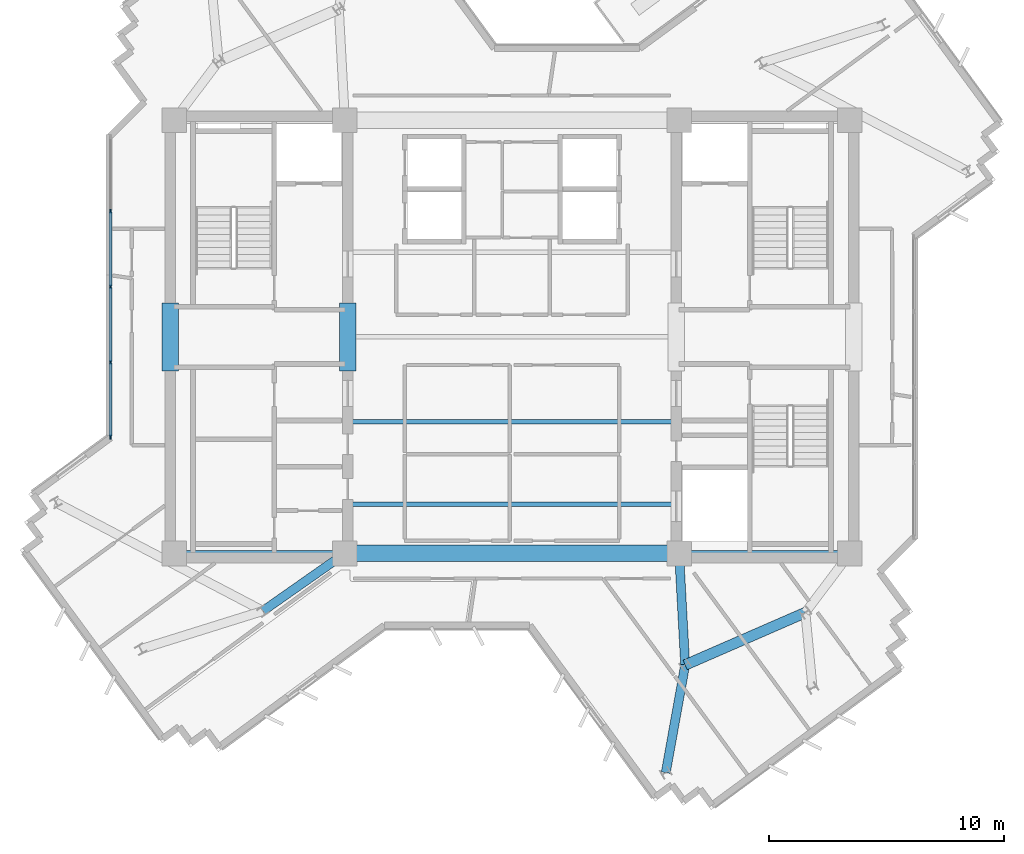
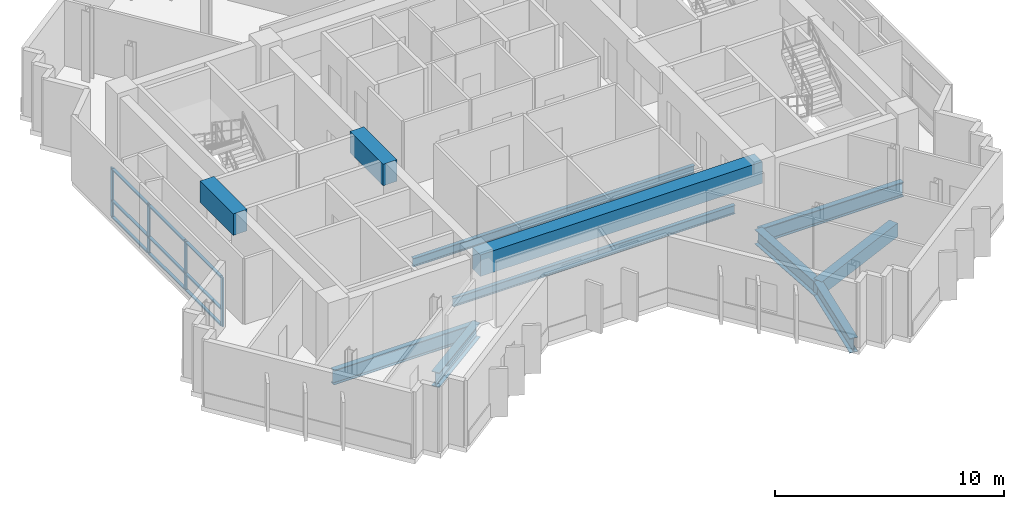
# One storey, part 2 of 13: 13 members, 11 beams, 1 element without a shape of its own.
"""IFC4 building model written with IfcOpenShell, lengths in metres."""

from ifc_helpers import new_model, si_unit, direction, frame, origin, origin_2d, place, context, subcontext, project, spatial, rectangle, i_section, extrude, source, transform, mapped, material, layer, layer_set, material_profile, profile_set, type_object, element, aggregate, save


model = new_model("IFC4")

# Units and contexts
model_context = context("Model", 3, precision=1e-05, world=origin(), true_north=direction((0.0, 1.0)))
body_context = subcontext(model_context, "Body", "Model", "MODEL_VIEW")
ifc_project = project(units=[si_unit("LENGTHUNIT", "METRE"), si_unit("AREAUNIT", "SQUARE_METRE"), si_unit("VOLUMEUNIT", "CUBIC_METRE"), si_unit("PLANEANGLEUNIT", "RADIAN"), si_unit("MASSUNIT", "GRAM", prefix="KILO")], contexts=[model_context])

# Site, building, storey
site_placement = place(None, origin())
site = spatial("IfcSite", under=ifc_project, at=site_placement, CompositionType="ELEMENT")
building_placement = place(site_placement, origin())
building = spatial("IfcBuilding", under=site, at=building_placement, Name="Zahravan Cultural Tower", CompositionType="ELEMENT")
storey_placement = place(building_placement, frame((0.0, 0.0, 272.85009765625)))
storey = spatial("IfcBuildingStorey", under=building, at=storey_placement, Name="L65", CompositionType="ELEMENT", Elevation=272.85009765625)

# Beams
ifc_material_1 = material(Name="Concrete C50/60", Category="concrete")
ifc_material_profile_1 = material_profile(ifc_material_1, rectangle(XDim=0.699951171875, YDim=1.14990234375, at=origin_2d()), Name="RC700X1150")
ifc_profile_set_1 = profile_set([ifc_material_profile_1], Name="Concrete C50/60")
beam_type_1 = type_object("IfcBeamType", Name="BM-LN-RC700X1150", PredefinedType="LINTEL", material=ifc_profile_set_1)
shared_shape_1 = source(origin(), body_context, "Body", "SweptSolid", [
    extrude(rectangle(XDim=0.699951171875, YDim=1.14990234375, at=origin_2d()), origin(), (0.0, 0.0, 1.0), 14.2001953125),
])
beam_1_placement = place(storey_placement, frame((28.89990234375, 17.800048828125, 2.9248046875), z_axis=(1.0, 0.0, 0.0), x_axis=(0.0, 1.0, 0.0)))
element("IfcBeam", 1, at=beam_1_placement, inside=storey, type_object=beam_type_1, Name="L65 Beam LN-L65-S", PredefinedType="LINTEL", context=body_context, shape_type="MappedRepresentation", body=[
    mapped(shared_shape_1, transform((0.0, 0.0, 0.0), x_axis=(1.0, 0.0, 0.0), y_axis=(0.0, 1.0, 0.0), z_axis=(0.0, 0.0, 1.0), scale=1.0)),
])
shared_shape_2 = source(origin(), body_context, "Body", "SweptSolid", [
    extrude(rectangle(XDim=0.699951171875, YDim=1.14990234375, at=origin_2d()), origin(), (0.0, 0.0, 1.0), 2.89990234375),
])
for number, where, z_axis, x_axis, name in (
    (2, (21.47509765625, 25.550048828125, 2.9248046875), (0.0, 1.0, 0.0), (-1.0, 0.0, 0.0), "L65 Beam LN-L65-PWW"),
    (3, (29.02490234375, 25.550048828125, 2.9248046875), (0.0, 1.0, 0.0), (-1.0, 0.0, 0.0), "L65 Beam LN-L65-PWE"),
):
    element("IfcBeam", number, at=place(storey_placement, frame(where, z_axis=z_axis, x_axis=x_axis)), inside=storey, type_object=beam_type_1, Name=name, PredefinedType="LINTEL", context=body_context, shape_type="MappedRepresentation", body=[
        mapped(shared_shape_2, transform((0.0, 0.0, 0.0), x_axis=(1.0, 0.0, 0.0), y_axis=(0.0, 1.0, 0.0), z_axis=(0.0, 0.0, 1.0), scale=1.0)),
    ])
ifc_material_2 = material(Name="Steel ASTM A992 Grade 50", Category="steel")
ifc_material_profile_2 = material_profile(ifc_material_2, i_section(OverallWidth=0.26611328125, OverallDepth=0.780029296875, WebThickness=0.0166015625, FlangeThickness=0.030029296875, FilletRadius=0.01904296875, at=origin_2d()), Name="W30X148")
ifc_profile_set_2 = profile_set([ifc_material_profile_2], Name="Steel ASTM A992 Grade 50")
beam_type_2 = type_object("IfcBeamType", Name="BM-G-W30X148", PredefinedType="BEAM", material=ifc_profile_set_2)
shared_shape_3 = source(origin(), body_context, "Body", "SweptSolid", [
    extrude(i_section(OverallWidth=0.26611328125, OverallDepth=0.780029296875, WebThickness=0.0166015625, FlangeThickness=0.030029296875, FilletRadius=0.01904296875, at=origin_2d()), origin(), (0.0, 0.0, 1.0), 7.25),
])
for number, where, z_axis, x_axis, name in (
    (4, (21.64990234375, 17.800048828125, -0.64013671875), (1.0, 0.0, 0.0), (0.0, 1.0, 0.0), "L65 Beam BG-L65-01"),
    (5, (43.10009765625, 17.800048828125, -0.64013671875), (1.0, 0.0, 0.0), (0.0, 1.0, 0.0), "L65 Beam BG-L65-04"),
):
    element("IfcBeam", number, at=place(storey_placement, frame(where, z_axis=z_axis, x_axis=x_axis)), inside=storey, type_object=beam_type_2, Name=name, PredefinedType="BEAM", context=body_context, shape_type="MappedRepresentation", body=[
        mapped(shared_shape_3, transform((0.0, 0.0, 0.0), x_axis=(1.0, 0.0, 0.0), y_axis=(0.0, 1.0, 0.0), z_axis=(0.0, 0.0, 1.0), scale=1.0)),
    ])
ifc_material_3 = material(Name="Concrete C45/55", Category="concrete")
ifc_material_profile_3 = material_profile(ifc_material_3, rectangle(XDim=0.449951171875, YDim=0.719970703125, at=origin_2d()), Name="RC450X720")
ifc_profile_set_3 = profile_set([ifc_material_profile_3], Name="Concrete C45/55")
beam_type_3 = type_object("IfcBeamType", Name="BM-SP-RC450X720", PredefinedType="SPANDREL", material=ifc_profile_set_3)
shared_shape_4 = source(origin(), body_context, "Body", "SweptSolid", [
    extrude(rectangle(XDim=0.449951171875, YDim=0.719970703125, at=origin_2d()), origin(), (0.0, 0.0, 1.0), 5.570556640625),
])
beam_2_placement = place(storey_placement, frame((43.357421875, 13.062744140625, -0.610107421875), z_axis=(0.9166445026, 0.399703459896, 0.0), x_axis=(-0.399703459896, 0.9166445026, 0.0)))
element("IfcBeam", 6, at=beam_2_placement, inside=storey, type_object=beam_type_3, Name="L65 Beam SP-L65-20", PredefinedType="SPANDREL", context=body_context, shape_type="MappedRepresentation", body=[
    mapped(shared_shape_4, transform((0.0, 0.0, 0.0), x_axis=(1.0, 0.0, 0.0), y_axis=(0.0, 1.0, 0.0), z_axis=(0.0, 0.0, 1.0), scale=1.0)),
])
ifc_material_profile_4 = material_profile(ifc_material_2, i_section(OverallWidth=0.18994140625, OverallDepth=0.45703125, WebThickness=0.009033203125, FlangeThickness=0.014404296875, FilletRadius=0.012939453125, at=origin_2d()), Name="W18X50")
ifc_profile_set_4 = profile_set([ifc_material_profile_4], Name="Steel ASTM A992 Grade 50")
beam_type_4 = type_object("IfcBeamType", Name="BM-J-W18X50", PredefinedType="JOIST", material=ifc_profile_set_4)
shared_shape_5 = source(origin(), body_context, "Body", "SweptSolid", [
    extrude(i_section(OverallWidth=0.18994140625, OverallDepth=0.45703125, WebThickness=0.009033203125, FlangeThickness=0.014404296875, FilletRadius=0.012939453125, at=origin_2d()), origin(), (0.0, 0.0, 1.0), 14.2001953125),
])
for number, where, z_axis, x_axis, name in (
    (7, (28.89990234375, 19.89990234375, -0.478515625), (1.0, 0.0, 0.0), (0.0, 1.0, 0.0), "L65 Beam BJ-L65-22"),
    (8, (28.89990234375, 23.39990234375, -0.478515625), (1.0, 0.0, 0.0), (0.0, 1.0, 0.0), "L65 Beam BJ-L65-23"),
):
    element("IfcBeam", number, at=place(storey_placement, frame(where, z_axis=z_axis, x_axis=x_axis)), inside=storey, type_object=beam_type_4, Name=name, PredefinedType="JOIST", context=body_context, shape_type="MappedRepresentation", body=[
        mapped(shared_shape_5, transform((0.0, 0.0, 0.0), x_axis=(1.0, 0.0, 0.0), y_axis=(0.0, 1.0, 0.0), z_axis=(0.0, 0.0, 1.0), scale=1.0)),
    ])
ifc_material_profile_5 = material_profile(ifc_material_2, i_section(OverallWidth=0.382080078125, OverallDepth=0.779052734375, WebThickness=0.01806640625, FlangeThickness=0.030029296875, FilletRadius=0.01904296875, at=origin_2d()), Name="W30X191")
ifc_profile_set_5 = profile_set([ifc_material_profile_5], Name="Steel ASTM A992 Grade 50")
beam_type_5 = type_object("IfcBeamType", Name="BM-G-W30X191", PredefinedType="BEAM", material=ifc_profile_set_5)
shared_shape_6 = source(origin(), body_context, "Body", "SweptSolid", [
    extrude(i_section(OverallWidth=0.382080078125, OverallDepth=0.779052734375, WebThickness=0.01806640625, FlangeThickness=0.030029296875, FilletRadius=0.01904296875, at=origin_2d()), origin(), (0.0, 0.0, 1.0), 4.248779296875),
])
beam_3_placement = place(storey_placement, frame((28.89990234375, 17.800048828125, -0.6396484375), z_axis=(-0.81854294596, -0.574445337365, 0.0), x_axis=(0.574445337365, -0.81854294596, 0.0)))
element("IfcBeam", 9, at=beam_3_placement, inside=storey, type_object=beam_type_5, Name="L65 Beam BG-L65-07", PredefinedType="BEAM", context=body_context, shape_type="MappedRepresentation", body=[
    mapped(shared_shape_6, transform((0.0, 0.0, 0.0), x_axis=(1.0, 0.0, 0.0), y_axis=(0.0, 1.0, 0.0), z_axis=(0.0, 0.0, 1.0), scale=1.0)),
])
shared_shape_7 = source(origin(), body_context, "Body", "SweptSolid", [
    extrude(i_section(OverallWidth=0.382080078125, OverallDepth=0.779052734375, WebThickness=0.01806640625, FlangeThickness=0.030029296875, FilletRadius=0.01904296875, at=origin_2d()), origin(), (0.0, 0.0, 1.0), 4.744384765625),
])
beam_4_placement = place(storey_placement, frame((43.10009765625, 17.800048828125, -0.6396484375), z_axis=(0.054238739845, -0.998527996152, 0.0), x_axis=(0.998527996152, 0.054238739845, 0.0)))
element("IfcBeam", 10, at=beam_4_placement, inside=storey, type_object=beam_type_5, Name="L65 Beam BG-L65-08", PredefinedType="BEAM", context=body_context, shape_type="MappedRepresentation", body=[
    mapped(shared_shape_7, transform((0.0, 0.0, 0.0), x_axis=(1.0, 0.0, 0.0), y_axis=(0.0, 1.0, 0.0), z_axis=(0.0, 0.0, 1.0), scale=1.0)),
])
shared_shape_8 = source(origin(), body_context, "Body", "SweptSolid", [
    extrude(i_section(OverallWidth=0.382080078125, OverallDepth=0.779052734375, WebThickness=0.01806640625, FlangeThickness=0.030029296875, FilletRadius=0.01904296875, at=origin_2d()), origin(), (0.0, 0.0, 1.0), 4.65087890625),
])
beam_5_placement = place(storey_placement, frame((43.357421875, 13.062744140625, -0.6396484375), z_axis=(-0.177425522697, -0.984134230629, 0.0), x_axis=(0.984134230629, -0.177425522697, 0.0)))
element("IfcBeam", 11, at=beam_5_placement, inside=storey, type_object=beam_type_5, Name="L65 Beam BG-L65-18", PredefinedType="BEAM", context=body_context, shape_type="MappedRepresentation", body=[
    mapped(shared_shape_8, transform((0.0, 0.0, 0.0), x_axis=(1.0, 0.0, 0.0), y_axis=(0.0, 1.0, 0.0), z_axis=(0.0, 0.0, 1.0), scale=1.0)),
])

# Curtain wall, members
ifc_material_4 = material(Name="Anodised bronze-aluminium mullion", Category="aluminium")
ifc_layer = layer(ifc_material_4, 0.179931640625)
ifc_layer_set = layer_set([ifc_layer], Name="Anodised bronze-aluminium mullion")
curtain_wall_type = type_object("IfcCurtainWallType", Name="CW-SYS-3", PredefinedType="USERDEFINED", material=ifc_layer_set)
curtain_wall_placement = place(storey_placement, origin())
curtain_wall = element("IfcCurtainWall", 12, at=curtain_wall_placement, inside=storey, type_object=curtain_wall_type, Name="L65 Recessed Curtain Wall CW-3.2", ObjectType="RECESSED GLAZING", PredefinedType="USERDEFINED")
ifc_material_profile_6 = material_profile(ifc_material_4, rectangle(XDim=0.070068359375, YDim=0.179931640625, at=origin_2d()), Name="AL-M70X180")
ifc_profile_set_6 = profile_set([ifc_material_profile_6], Name="Anodised bronze-aluminium mullion")
member_type_1 = type_object("IfcMemberType", Name="CWM-CW-3", PredefinedType="MULLION", material=ifc_profile_set_6)
shared_shape_9 = source(origin(), body_context, "Body", "SweptSolid", [
    extrude(rectangle(XDim=0.070068359375, YDim=0.179931640625, at=origin_2d()), origin(), (0.0, 0.0, 1.0), 2.619873046875),
])
member_1_placement = place(storey_placement, frame((18.93994140625, 22.749267578125, 0.0), z_axis=(0.0, 0.0, 1.0), x_axis=(-1.0, 0.0, 0.0)))
member_1 = element("IfcMember", 13, at=member_1_placement, type_object=member_type_1, Name="CW-3 mullion 1", PredefinedType="MULLION", context=body_context, shape_type="MappedRepresentation", body=[
    mapped(shared_shape_9, transform((0.0, 0.0, 0.0), x_axis=(1.0, 0.0, 0.0), y_axis=(0.0, 1.0, 0.0), z_axis=(0.0, 0.0, 1.0), scale=1.0)),
])
member_2_placement = place(storey_placement, frame((18.93994140625, 25.921142578125, 0.0), z_axis=(0.0, 0.0, 1.0), x_axis=(-1.0, 0.0, 0.0)))
member_2 = element("IfcMember", 14, at=member_2_placement, type_object=member_type_1, Name="CW-3 mullion 2", PredefinedType="MULLION", context=body_context, shape_type="MappedRepresentation", body=[
    mapped(shared_shape_9, transform((0.0, 0.0, 0.0), x_axis=(1.0, 0.0, 0.0), y_axis=(0.0, 1.0, 0.0), z_axis=(0.0, 0.0, 1.0), scale=1.0)),
])
member_3_placement = place(storey_placement, frame((18.93994140625, 29.128173828125, 0.0), z_axis=(0.0, 0.0, 1.0), x_axis=(-1.0, 0.0, 0.0)))
member_3 = element("IfcMember", 15, at=member_3_placement, type_object=member_type_1, Name="CW-3 mullion 3", PredefinedType="MULLION", context=body_context, shape_type="MappedRepresentation", body=[
    mapped(shared_shape_9, transform((0.0, 0.0, 0.0), x_axis=(1.0, 0.0, 0.0), y_axis=(0.0, 1.0, 0.0), z_axis=(0.0, 0.0, 1.0), scale=1.0)),
])
member_4_placement = place(storey_placement, frame((18.93994140625, 32.3349609375, 0.0), z_axis=(0.0, 0.0, 1.0), x_axis=(-1.0, 0.0, 0.0)))
member_4 = element("IfcMember", 16, at=member_4_placement, type_object=member_type_1, Name="CW-3 mullion 4", PredefinedType="MULLION", context=body_context, shape_type="MappedRepresentation", body=[
    mapped(shared_shape_9, transform((0.0, 0.0, 0.0), x_axis=(1.0, 0.0, 0.0), y_axis=(0.0, 1.0, 0.0), z_axis=(0.0, 0.0, 1.0), scale=1.0)),
])
ifc_material_profile_7 = material_profile(ifc_material_4, rectangle(XDim=0.139892578125, YDim=0.070068359375, at=origin_2d()), Name="AL-T70X140")
ifc_profile_set_7 = profile_set([ifc_material_profile_7], Name="Anodised bronze-aluminium mullion")
member_type_2 = type_object("IfcMemberType", Name="CWT-CW-3", PredefinedType="USERDEFINED", material=ifc_profile_set_7)
shared_shape_10 = source(origin(), body_context, "Body", "SweptSolid", [
    extrude(rectangle(XDim=0.139892578125, YDim=0.070068359375, at=origin_2d()), origin(), (0.0, 0.0, 1.0), 3.10205078125),
])
member_5_placement = place(storey_placement, frame((18.93994140625, 22.7841796875, 0.034912109375), z_axis=(0.0, 1.0, 0.0), x_axis=(-1.0, 0.0, 0.0)))
member_5 = element("IfcMember", 17, at=member_5_placement, type_object=member_type_2, Name="CW-3 transom 1.1", ObjectType="TRANSOM", PredefinedType="USERDEFINED", context=body_context, shape_type="MappedRepresentation", body=[
    mapped(shared_shape_10, transform((0.0, 0.0, 0.0), x_axis=(1.0, 0.0, 0.0), y_axis=(0.0, 1.0, 0.0), z_axis=(0.0, 0.0, 1.0), scale=1.0)),
])
member_6_placement = place(storey_placement, frame((18.93994140625, 22.7841796875, 0.89990234375), z_axis=(0.0, 1.0, 0.0), x_axis=(-1.0, 0.0, 0.0)))
member_6 = element("IfcMember", 18, at=member_6_placement, type_object=member_type_2, Name="CW-3 transom 1.2", ObjectType="TRANSOM", PredefinedType="USERDEFINED", context=body_context, shape_type="MappedRepresentation", body=[
    mapped(shared_shape_10, transform((0.0, 0.0, 0.0), x_axis=(1.0, 0.0, 0.0), y_axis=(0.0, 1.0, 0.0), z_axis=(0.0, 0.0, 1.0), scale=1.0)),
])
member_7_placement = place(storey_placement, frame((18.93994140625, 22.7841796875, 2.5849609375), z_axis=(0.0, 1.0, 0.0), x_axis=(-1.0, 0.0, 0.0)))
member_7 = element("IfcMember", 19, at=member_7_placement, type_object=member_type_2, Name="CW-3 transom 1.3", ObjectType="TRANSOM", PredefinedType="USERDEFINED", context=body_context, shape_type="MappedRepresentation", body=[
    mapped(shared_shape_10, transform((0.0, 0.0, 0.0), x_axis=(1.0, 0.0, 0.0), y_axis=(0.0, 1.0, 0.0), z_axis=(0.0, 0.0, 1.0), scale=1.0)),
])
shared_shape_11 = source(origin(), body_context, "Body", "SweptSolid", [
    extrude(rectangle(XDim=0.139892578125, YDim=0.070068359375, at=origin_2d()), origin(), (0.0, 0.0, 1.0), 3.136962890625),
])
member_8_placement = place(storey_placement, frame((18.93994140625, 25.956298828125, 0.034912109375), z_axis=(0.0, 1.0, 0.0), x_axis=(-1.0, 0.0, 0.0)))
member_8 = element("IfcMember", 20, at=member_8_placement, type_object=member_type_2, Name="CW-3 transom 2.1", ObjectType="TRANSOM", PredefinedType="USERDEFINED", context=body_context, shape_type="MappedRepresentation", body=[
    mapped(shared_shape_11, transform((0.0, 0.0, 0.0), x_axis=(1.0, 0.0, 0.0), y_axis=(0.0, 1.0, 0.0), z_axis=(0.0, 0.0, 1.0), scale=1.0)),
])
member_9_placement = place(storey_placement, frame((18.93994140625, 25.956298828125, 0.89990234375), z_axis=(0.0, 1.0, 0.0), x_axis=(-1.0, 0.0, 0.0)))
member_9 = element("IfcMember", 21, at=member_9_placement, type_object=member_type_2, Name="CW-3 transom 2.2", ObjectType="TRANSOM", PredefinedType="USERDEFINED", context=body_context, shape_type="MappedRepresentation", body=[
    mapped(shared_shape_11, transform((0.0, 0.0, 0.0), x_axis=(1.0, 0.0, 0.0), y_axis=(0.0, 1.0, 0.0), z_axis=(0.0, 0.0, 1.0), scale=1.0)),
])
member_10_placement = place(storey_placement, frame((18.93994140625, 25.956298828125, 2.5849609375), z_axis=(0.0, 1.0, 0.0), x_axis=(-1.0, 0.0, 0.0)))
member_10 = element("IfcMember", 22, at=member_10_placement, type_object=member_type_2, Name="CW-3 transom 2.3", ObjectType="TRANSOM", PredefinedType="USERDEFINED", context=body_context, shape_type="MappedRepresentation", body=[
    mapped(shared_shape_11, transform((0.0, 0.0, 0.0), x_axis=(1.0, 0.0, 0.0), y_axis=(0.0, 1.0, 0.0), z_axis=(0.0, 0.0, 1.0), scale=1.0)),
])
member_11_placement = place(storey_placement, frame((18.93994140625, 29.1630859375, 0.034912109375), z_axis=(0.0, 1.0, 0.0), x_axis=(-1.0, 0.0, 0.0)))
member_11 = element("IfcMember", 23, at=member_11_placement, type_object=member_type_2, Name="CW-3 transom 3.1", ObjectType="TRANSOM", PredefinedType="USERDEFINED", context=body_context, shape_type="MappedRepresentation", body=[
    mapped(shared_shape_11, transform((0.0, 0.0, 0.0), x_axis=(1.0, 0.0, 0.0), y_axis=(0.0, 1.0, 0.0), z_axis=(0.0, 0.0, 1.0), scale=1.0)),
])
member_12_placement = place(storey_placement, frame((18.93994140625, 29.1630859375, 0.89990234375), z_axis=(0.0, 1.0, 0.0), x_axis=(-1.0, 0.0, 0.0)))
member_12 = element("IfcMember", 24, at=member_12_placement, type_object=member_type_2, Name="CW-3 transom 3.2", ObjectType="TRANSOM", PredefinedType="USERDEFINED", context=body_context, shape_type="MappedRepresentation", body=[
    mapped(shared_shape_11, transform((0.0, 0.0, 0.0), x_axis=(1.0, 0.0, 0.0), y_axis=(0.0, 1.0, 0.0), z_axis=(0.0, 0.0, 1.0), scale=1.0)),
])
member_13_placement = place(storey_placement, frame((18.93994140625, 29.1630859375, 2.5849609375), z_axis=(0.0, 1.0, 0.0), x_axis=(-1.0, 0.0, 0.0)))
member_13 = element("IfcMember", 25, at=member_13_placement, type_object=member_type_2, Name="CW-3 transom 3.3", ObjectType="TRANSOM", PredefinedType="USERDEFINED", context=body_context, shape_type="MappedRepresentation", body=[
    mapped(shared_shape_11, transform((0.0, 0.0, 0.0), x_axis=(1.0, 0.0, 0.0), y_axis=(0.0, 1.0, 0.0), z_axis=(0.0, 0.0, 1.0), scale=1.0)),
])
aggregate(curtain_wall, [member_1, member_2, member_3, member_4, member_5, member_6, member_7, member_8, member_9, member_10, member_11, member_12, member_13])

save(model, "model.ifc")
